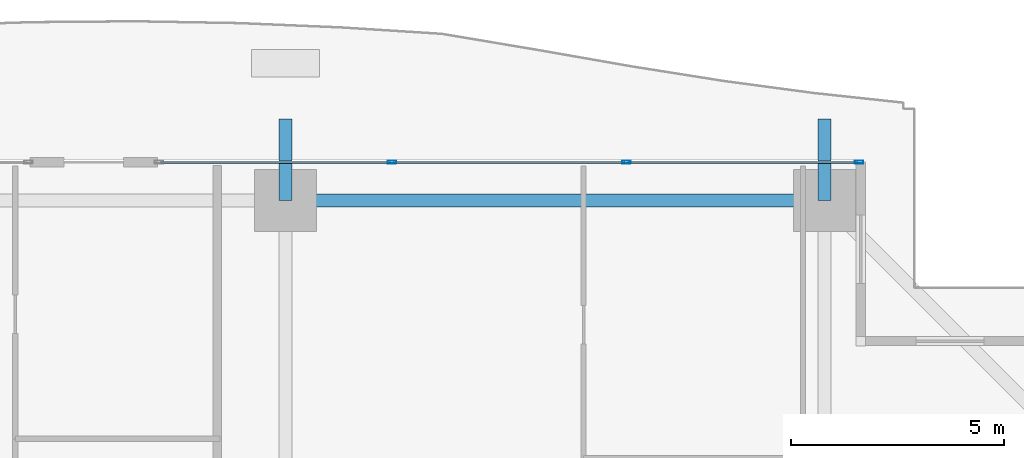
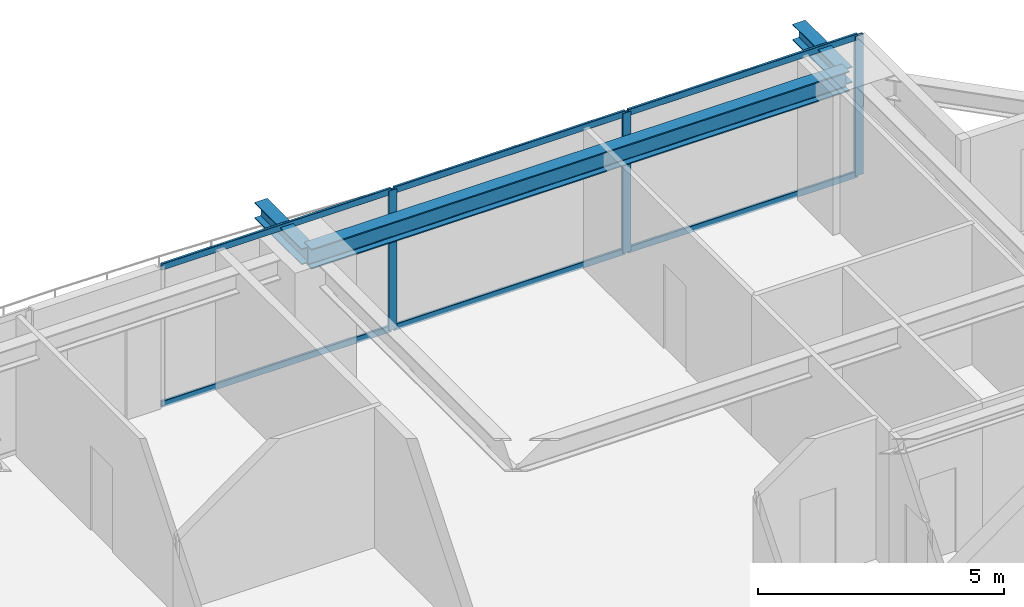
# One storey, part 21 of 35: 9 members, 3 beams, 1 element without a shape of its own.
"""IFC4 building model written with IfcOpenShell, lengths in metres."""

from ifc_helpers import new_model, si_unit, direction, frame, origin, origin_2d, place, context, subcontext, project, spatial, hollow_rectangle, i_section, extrude, source, transform, mapped, material, layer, layer_set, material_profile, profile_set, type_object, element, aggregate, save


model = new_model("IFC4")

# Units and contexts
model_context = context("Model", 3, precision=1e-05, world=origin(), true_north=direction((0.0, 1.0)))
body_context = subcontext(model_context, "Body", "Model", "MODEL_VIEW")
ifc_project = project(units=[si_unit("LENGTHUNIT", "METRE"), si_unit("AREAUNIT", "SQUARE_METRE"), si_unit("VOLUMEUNIT", "CUBIC_METRE"), si_unit("PLANEANGLEUNIT", "RADIAN"), si_unit("MASSUNIT", "GRAM", prefix="KILO")], contexts=[model_context])

# Site, building, storey
site_placement = place(None, origin())
site = spatial("IfcSite", under=ifc_project, at=site_placement, CompositionType="ELEMENT")
building_placement = place(site_placement, origin())
building = spatial("IfcBuilding", under=site, at=building_placement, Name="Serunith Strait Residences", CompositionType="ELEMENT")
storey_placement = place(building_placement, frame((0.0, 0.0, 71.699951171875)))
storey = spatial("IfcBuildingStorey", under=building, at=storey_placement, Name="L17", CompositionType="ELEMENT", Elevation=71.699951171875)

# Beams
ifc_material_1 = material(Name="Steel S355J2", Category="steel")
ifc_material_profile_1 = material_profile(ifc_material_1, i_section(OverallWidth=0.300048828125, OverallDepth=0.5, WebThickness=0.014404296875, FlangeThickness=0.028076171875, FilletRadius=0.027099609375, at=origin_2d()), Name="HEB 500")
ifc_profile_set_1 = profile_set([ifc_material_profile_1], Name="Steel S355J2")
beam_type_1 = type_object("IfcBeamType", Name="BM-HEB500", PredefinedType="BEAM", material=ifc_profile_set_1)
shared_shape_1 = source(origin(), body_context, "Body", "SweptSolid", [
    extrude(i_section(OverallWidth=0.300048828125, OverallDepth=0.5, WebThickness=0.014404296875, FlangeThickness=0.028076171875, FilletRadius=0.027099609375, at=origin_2d()), origin(), (0.0, 0.0, 1.0), 12.650146484375),
])
beam_placement = place(storey_placement, frame((49.550048828125, 49.300048828125, 3.237060546875), z_axis=(-1.0, 0.0, 0.0), x_axis=(0.0, -1.0, 0.0)))
element("IfcBeam", 1, at=beam_placement, inside=storey, type_object=beam_type_1, Name="L17 Perimeter Ring Beam 09", PredefinedType="BEAM", context=body_context, shape_type="MappedRepresentation", body=[
    mapped(shared_shape_1, transform((0.0, 0.0, 0.0), scale=1.0)),
])
ifc_material_profile_2 = material_profile(ifc_material_1, i_section(OverallWidth=0.300048828125, OverallDepth=0.39990234375, WebThickness=0.013427734375, FlangeThickness=0.02392578125, FilletRadius=0.027099609375, at=origin_2d()), Name="HEB 400")
ifc_profile_set_2 = profile_set([ifc_material_profile_2], Name="Steel S355J2")
beam_type_2 = type_object("IfcBeamType", Name="BM-HEB400", PredefinedType="BEAM", material=ifc_profile_set_2)
shared_shape_2 = source(origin(), body_context, "Body", "SweptSolid", [
    extrude(i_section(OverallWidth=0.300048828125, OverallDepth=0.39990234375, WebThickness=0.013427734375, FlangeThickness=0.02392578125, FilletRadius=0.027099609375, at=origin_2d()), origin(), (0.0, 0.0, 1.0), 1.909912109375),
])
for number, where, z_axis, x_axis, name in (
    (2, (36.89990234375, 49.300048828125, 3.257080078125), (0.0, 1.0, 0.0), (-1.0, 0.0, 0.0), "L18 Cantilevered Balcony Rib TC-N3"),
    (3, (49.550048828125, 49.300048828125, 3.257080078125), (0.0, 1.0, 0.0), (-1.0, 0.0, 0.0), "L18 Cantilevered Balcony Rib TC-N4"),
):
    element("IfcBeam", number, at=place(storey_placement, frame(where, z_axis=z_axis, x_axis=x_axis)), inside=storey, type_object=beam_type_2, Name=name, PredefinedType="BEAM", context=body_context, shape_type="MappedRepresentation", body=[
        mapped(shared_shape_2, transform((0.0, 0.0, 0.0), scale=1.0)),
    ])

# Curtain wall, members
ifc_material_2 = material(Name="Pale-Champagne Anodised Aluminium", Category="aluminium")
ifc_layer = layer(ifc_material_2, 0.199951171875, Name="Pale-Champagne Anodised Aluminium")
ifc_layer_set = layer_set([ifc_layer], Name="Pale-Champagne Anodised Aluminium")
curtain_wall_type = type_object("IfcCurtainWallType", Name="CW-SYS1", PredefinedType="NOTDEFINED", material=ifc_layer_set)
curtain_wall_placement = place(storey_placement, origin())
curtain_wall = element("IfcCurtainWall", 4, at=curtain_wall_placement, inside=storey, type_object=curtain_wall_type, Name="L17 N Unitised Fritted Curtain Wall", PredefinedType="NOTDEFINED")
ifc_material_profile_3 = material_profile(ifc_material_2, hollow_rectangle(XDim=0.070068359375, YDim=0.199951171875, WallThickness=0.00390625, InnerFilletRadius=0.006103515625, OuterFilletRadius=0.010009765625, at=origin_2d()), Name="ALU 200x70x4")
ifc_profile_set_3 = profile_set([ifc_material_profile_3], Name="Pale-Champagne Anodised Aluminium")
member_type_1 = type_object("IfcMemberType", Name="CW-SYS1-MULL", PredefinedType="MULLION", material=ifc_profile_set_3)
shared_shape_3 = source(origin(), body_context, "Body", "SweptSolid", [
    extrude(hollow_rectangle(XDim=0.070068359375, YDim=0.199951171875, WallThickness=0.00390625, InnerFilletRadius=0.006103515625, OuterFilletRadius=0.010009765625, at=origin_2d()), origin(), (0.0, 0.0, 1.0), 3.47509765625),
])
member_1_placement = place(storey_placement, frame((50.364990234375, 50.199951171875, 0.0), z_axis=(0.0, 0.0, 1.0), x_axis=(0.0, -1.0, 0.0)))
member_1 = element("IfcMember", 5, at=member_1_placement, type_object=member_type_1, Name="CW-1 mullion 1", PredefinedType="MULLION", context=body_context, shape_type="MappedRepresentation", body=[
    mapped(shared_shape_3, transform((0.0, 0.0, 0.0), scale=1.0)),
])
member_2_placement = place(storey_placement, frame((44.89990234375, 50.199951171875, 0.0), z_axis=(0.0, 0.0, 1.0), x_axis=(0.0, -1.0, 0.0)))
member_2 = element("IfcMember", 6, at=member_2_placement, type_object=member_type_1, Name="CW-1 mullion 2", PredefinedType="MULLION", context=body_context, shape_type="MappedRepresentation", body=[
    mapped(shared_shape_3, transform((0.0, 0.0, 0.0), scale=1.0)),
])
member_3_placement = place(storey_placement, frame((39.39990234375, 50.199951171875, 0.0), z_axis=(0.0, 0.0, 1.0), x_axis=(0.0, -1.0, 0.0)))
member_3 = element("IfcMember", 7, at=member_3_placement, type_object=member_type_1, Name="CW-1 mullion 3", PredefinedType="MULLION", context=body_context, shape_type="MappedRepresentation", body=[
    mapped(shared_shape_3, transform((0.0, 0.0, 0.0), scale=1.0)),
])
ifc_material_profile_4 = material_profile(ifc_material_2, hollow_rectangle(XDim=0.06005859375, YDim=0.159912109375, WallThickness=0.00341796875, InnerFilletRadius=0.00537109375, OuterFilletRadius=0.0087890625, at=origin_2d()), Name="ALU 160x60x3.5")
ifc_profile_set_4 = profile_set([ifc_material_profile_4], Name="Pale-Champagne Anodised Aluminium")
member_type_2 = type_object("IfcMemberType", Name="CW-SYS1-TRAN", PredefinedType="USERDEFINED", material=ifc_profile_set_4)
shared_shape_4 = source(origin(), body_context, "Body", "SweptSolid", [
    extrude(hollow_rectangle(XDim=0.06005859375, YDim=0.159912109375, WallThickness=0.00341796875, InnerFilletRadius=0.00537109375, OuterFilletRadius=0.0087890625, at=origin_2d()), origin(), (0.0, 0.0, 1.0), 5.39501953125),
])
member_4_placement = place(storey_placement, frame((50.330078125, 50.199951171875, 0.030029296875), z_axis=(-1.0, 0.0, 0.0), x_axis=(0.0, -1.0, 0.0)))
member_4 = element("IfcMember", 8, at=member_4_placement, type_object=member_type_2, Name="CW-1 transom 1.1", ObjectType="TRANSOM", PredefinedType="USERDEFINED", context=body_context, shape_type="MappedRepresentation", body=[
    mapped(shared_shape_4, transform((0.0, 0.0, 0.0), scale=1.0)),
])
member_5_placement = place(storey_placement, frame((50.330078125, 50.199951171875, 3.445068359375), z_axis=(-1.0, 0.0, 0.0), x_axis=(0.0, -1.0, 0.0)))
member_5 = element("IfcMember", 9, at=member_5_placement, type_object=member_type_2, Name="CW-1 transom 1.2", ObjectType="TRANSOM", PredefinedType="USERDEFINED", context=body_context, shape_type="MappedRepresentation", body=[
    mapped(shared_shape_4, transform((0.0, 0.0, 0.0), scale=1.0)),
])
member_6_placement = place(storey_placement, frame((39.364990234375, 50.199951171875, 0.030029296875), z_axis=(-1.0, 0.0, 0.0), x_axis=(0.0, -1.0, 0.0)))
member_6 = element("IfcMember", 10, at=member_6_placement, type_object=member_type_2, Name="CW-1 transom 3.1", ObjectType="TRANSOM", PredefinedType="USERDEFINED", context=body_context, shape_type="MappedRepresentation", body=[
    mapped(shared_shape_4, transform((0.0, 0.0, 0.0), scale=1.0)),
])
member_7_placement = place(storey_placement, frame((39.364990234375, 50.199951171875, 3.445068359375), z_axis=(-1.0, 0.0, 0.0), x_axis=(0.0, -1.0, 0.0)))
member_7 = element("IfcMember", 11, at=member_7_placement, type_object=member_type_2, Name="CW-1 transom 3.2", ObjectType="TRANSOM", PredefinedType="USERDEFINED", context=body_context, shape_type="MappedRepresentation", body=[
    mapped(shared_shape_4, transform((0.0, 0.0, 0.0), scale=1.0)),
])
shared_shape_5 = source(origin(), body_context, "Body", "SweptSolid", [
    extrude(hollow_rectangle(XDim=0.06005859375, YDim=0.159912109375, WallThickness=0.00341796875, InnerFilletRadius=0.00537109375, OuterFilletRadius=0.0087890625, at=origin_2d()), origin(), (0.0, 0.0, 1.0), 5.429931640625),
])
member_8_placement = place(storey_placement, frame((44.864990234375, 50.199951171875, 0.030029296875), z_axis=(-1.0, 0.0, 0.0), x_axis=(0.0, -1.0, 0.0)))
member_8 = element("IfcMember", 12, at=member_8_placement, type_object=member_type_2, Name="CW-1 transom 2.1", ObjectType="TRANSOM", PredefinedType="USERDEFINED", context=body_context, shape_type="MappedRepresentation", body=[
    mapped(shared_shape_5, transform((0.0, 0.0, 0.0), scale=1.0)),
])
member_9_placement = place(storey_placement, frame((44.864990234375, 50.199951171875, 3.445068359375), z_axis=(-1.0, 0.0, 0.0), x_axis=(0.0, -1.0, 0.0)))
member_9 = element("IfcMember", 13, at=member_9_placement, type_object=member_type_2, Name="CW-1 transom 2.2", ObjectType="TRANSOM", PredefinedType="USERDEFINED", context=body_context, shape_type="MappedRepresentation", body=[
    mapped(shared_shape_5, transform((0.0, 0.0, 0.0), scale=1.0)),
])
aggregate(curtain_wall, [member_1, member_2, member_3, member_4, member_5, member_8, member_9, member_6, member_7])

save(model, "model.ifc")
